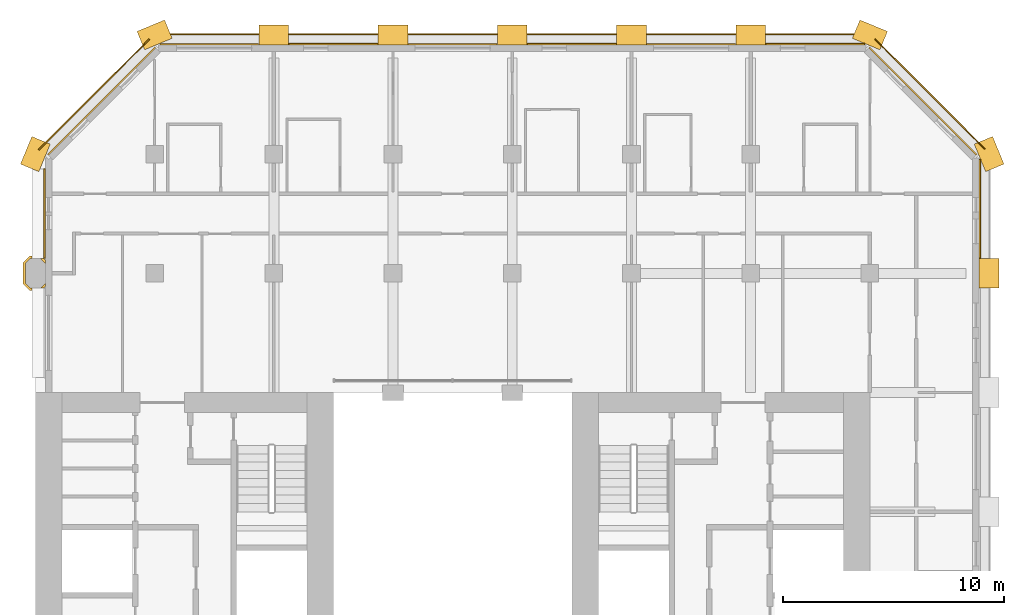
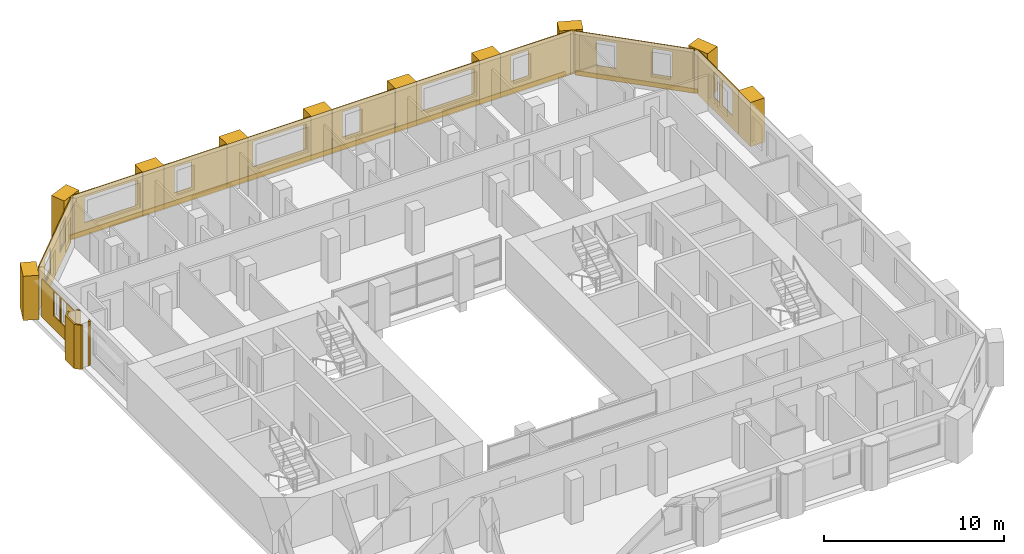
# One storey, part 12 of 12: 26 coverings.
"""IFC4 building model written with IfcOpenShell, lengths in metres."""

from ifc_helpers import new_model, si_unit, direction, frame, frame_2d, origin, place, context, subcontext, project, spatial, polyline, rectangle, outline, extrude, material, layer, layer_set, type_object, element, save


model = new_model("IFC4")

# Units and contexts
model_context = context("Model", 3, precision=1e-05, world=origin(), true_north=direction((0.0, 1.0)))
body_context = subcontext(model_context, "Body", "Model", "MODEL_VIEW")
ifc_project = project(units=[si_unit("LENGTHUNIT", "METRE"), si_unit("AREAUNIT", "SQUARE_METRE"), si_unit("VOLUMEUNIT", "CUBIC_METRE"), si_unit("PLANEANGLEUNIT", "RADIAN"), si_unit("MASSUNIT", "GRAM", prefix="KILO")], contexts=[model_context])

# Site, building, storey
site_placement = place(None, origin())
site = spatial("IfcSite", under=ifc_project, at=site_placement, CompositionType="ELEMENT")
building_placement = place(site_placement, origin())
building = spatial("IfcBuilding", under=site, at=building_placement, Name="Tabaq Tower and Sports Hall", CompositionType="ELEMENT")
storey_placement = place(building_placement, frame((0.0, 0.0, 197.199951171875)))
storey = spatial("IfcBuildingStorey", under=building, at=storey_placement, Name="L48", CompositionType="ELEMENT", Elevation=197.199951171875)

# Coverings
ifc_material_1 = material(Name="Precast concrete C60/75", Category="concrete")
ifc_layer_1 = layer(ifc_material_1, 0.10009765625)
ifc_layer_set_1 = layer_set([ifc_layer_1], Name="Column cladding 100")
covering_type_1 = type_object("IfcCoveringType", Name="Column cladding 100", PredefinedType="CLADDING", material=ifc_layer_set_1)
covering_1_placement = place(storey_placement, origin())
element("IfcCovering", 1, at=covering_1_placement, inside=storey, type_object=covering_type_1, Name="Column cladding L48 PC-2H-H2", PredefinedType="CLADDING", context=body_context, shape_type="SweptSolid", body=[
    extrude(outline(polyline([(5.1337890625, 37.025634765625), (4.8505859375, 37.308837890625), (4.8505859375, 38.291259765625), (5.1337890625, 38.574462890625), (5.24951171875, 38.574462890625), (5.24951171875, 38.4755859375), (5.1748046875, 38.4755859375), (4.949462890625, 38.250244140625), (4.949462890625, 37.349853515625), (5.1748046875, 37.12451171875), (5.24951171875, 37.12451171875), (5.24951171875, 37.025634765625), (5.1337890625, 37.025634765625)])), origin(), (0.0, 0.0, 1.0), 3.0),
])
covering_2_placement = place(storey_placement, origin())
element("IfcCovering", 2, at=covering_2_placement, inside=storey, type_object=covering_type_1, Name="Column cladding L48 PC-2H-H2 2", PredefinedType="CLADDING", context=body_context, shape_type="SweptSolid", body=[
    extrude(outline(polyline([(5.766357421875, 37.125244140625), (5.625732421875, 37.125244140625), (5.849609375, 37.349365234375), (5.849609375, 37.208740234375), (5.766357421875, 37.125244140625)])), origin(), (0.0, 0.0, 1.0), 3.0),
])
covering_3_placement = place(storey_placement, origin())
element("IfcCovering", 3, at=covering_3_placement, inside=storey, type_object=covering_type_1, Name="Column cladding L48 PC-2H-H2 3", PredefinedType="CLADDING", context=body_context, shape_type="SweptSolid", body=[
    extrude(outline(polyline([(5.62646484375, 38.474365234375), (5.76611328125, 38.474365234375), (5.849365234375, 38.39111328125), (5.849365234375, 38.25146484375), (5.62646484375, 38.474365234375)])), origin(), (0.0, 0.0, 1.0), 3.0),
])
ifc_material_2 = material(Name="Precast concrete C60/75", Category="concrete")
ifc_layer_2 = layer(ifc_material_2, 0.06005859375)
ifc_layer_set_2 = layer_set([ifc_layer_2], Name="Edge beam cladding 60")
covering_type_2 = type_object("IfcCoveringType", Name="Edge beam cladding 60", PredefinedType="CLADDING", material=ifc_layer_set_2)
covering_4_placement = place(storey_placement, frame((48.41015625, 43.432373046875, -0.300048828125), z_axis=(0.0, 0.0, 1.0), x_axis=(-0.707106781187, 0.707106781187, 0.0)))
element("IfcCovering", 4, at=covering_4_placement, inside=storey, type_object=covering_type_2, Name="Edge beam cladding L48 3", PredefinedType="CLADDING", context=body_context, shape_type="SweptSolid", body=[
    extrude(rectangle(XDim=7.03955078125, YDim=0.06005859375, at=frame_2d((3.519775390625, 0.0))), origin(), (0.0, 0.0, 1.0), 0.300048828125),
])
covering_5_placement = place(storey_placement, frame((42.9013671875, 48.6298828125, -0.300048828125), z_axis=(0.0, 0.0, 1.0), x_axis=(-1.0, 0.0, 0.0)))
element("IfcCovering", 5, at=covering_5_placement, inside=storey, type_object=covering_type_2, Name="Edge beam cladding L48 4", PredefinedType="CLADDING", context=body_context, shape_type="SweptSolid", body=[
    extrude(rectangle(XDim=31.802734375, YDim=0.06005859375, at=frame_2d((15.9013671875, 0.0))), origin(), (0.0, 0.0, 1.0), 0.300048828125),
])
covering_6_placement = place(storey_placement, frame((10.567626953125, 48.41015625, -0.300048828125), z_axis=(0.0, 0.0, 1.0), x_axis=(-0.707089559252, -0.707124002701, 0.0)))
element("IfcCovering", 6, at=covering_6_placement, inside=storey, type_object=covering_type_2, Name="Edge beam cladding L48 5", PredefinedType="CLADDING", context=body_context, shape_type="SweptSolid", body=[
    extrude(rectangle(XDim=7.088134765625, YDim=0.06005859375, at=frame_2d((3.5439453125, 0.0))), origin(), (0.0, 0.0, 1.0), 0.300048828125),
])
ifc_material_3 = material(Name="White precast concrete C60/75", Category="concrete")
covering_type_3 = type_object("IfcCoveringType", Name="Pier cladding hung 1350x900", PredefinedType="CLADDING", material=ifc_material_3)
for number, where, z_axis, x_axis, name in (
    (7, (5.658203125, 43.82373046875, 0.0), (0.0, 0.0, 1.0), (-0.382649923473, -0.923893411637, 0.0), "Hung pier cladding 1/8"),
    (8, (11.423583984375, 48.8583984375, 0.0), (0.0, 0.0, 1.0), (-0.923893411637, -0.382649923473, 0.0), "Hung pier cladding 2/9"),
    (9, (16.875, 48.60009765625, 0.0), (0.0, 0.0, 1.0), (-1.0, 0.0, 0.0), "Hung pier cladding 3/9"),
):
    element("IfcCovering", number, at=place(storey_placement, frame(where, z_axis=z_axis, x_axis=x_axis)), inside=storey, type_object=covering_type_3, Name=name, PredefinedType="CLADDING", context=body_context, shape_type="SweptSolid", body=[
        extrude(rectangle(XDim=1.35009765625, YDim=0.89990234375, at=frame_2d((0.675048828125, 0.0))), origin(), (0.0, 0.0, 1.0), 3.0),
    ])
covering_7_placement = place(storey_placement, frame((22.27490234375, 48.60009765625, 0.0), z_axis=(0.0, 0.0, 1.0), x_axis=(-1.0, 0.0, 0.0)))
element("IfcCovering", 10, at=covering_7_placement, inside=storey, type_object=covering_type_3, Name="Hung pier cladding 4/9", PredefinedType="CLADDING", context=body_context, shape_type="SweptSolid", body=[
    extrude(rectangle(XDim=1.349853515625, YDim=0.89990234375, at=frame_2d((0.6748046875, 0.0))), origin(), (0.0, 0.0, 1.0), 3.0),
])
covering_8_placement = place(storey_placement, frame((27.675048828125, 48.60009765625, 0.0), z_axis=(0.0, 0.0, 1.0), x_axis=(-1.0, 0.0, 0.0)))
element("IfcCovering", 11, at=covering_8_placement, inside=storey, type_object=covering_type_3, Name="Hung pier cladding 5/9", PredefinedType="CLADDING", context=body_context, shape_type="SweptSolid", body=[
    extrude(rectangle(XDim=1.35009765625, YDim=0.89990234375, at=frame_2d((0.675048828125, 0.0))), origin(), (0.0, 0.0, 1.0), 3.0),
])
covering_9_placement = place(storey_placement, frame((33.074951171875, 48.60009765625, 0.0), z_axis=(0.0, 0.0, 1.0), x_axis=(-1.0, 0.0, 0.0)))
element("IfcCovering", 12, at=covering_9_placement, inside=storey, type_object=covering_type_3, Name="Hung pier cladding 6/9", PredefinedType="CLADDING", context=body_context, shape_type="SweptSolid", body=[
    extrude(rectangle(XDim=1.349853515625, YDim=0.89990234375, at=frame_2d((0.6748046875, 0.0))), origin(), (0.0, 0.0, 1.0), 3.0),
])
for number, where, z_axis, x_axis, name in (
    (13, (38.47509765625, 48.60009765625, 0.0), (0.0, 0.0, 1.0), (-1.0, 0.0, 0.0), "Hung pier cladding 7/9"),
    (14, (43.82373046875, 48.341796875, 0.0), (0.0, 0.0, 1.0), (-0.923893411637, 0.382649923473, 0.0), "Hung pier cladding 8/9"),
    (15, (48.60009765625, 37.125, 0.0), (0.0, 0.0, 1.0), (0.0, 1.0, 0.0), "Hung pier cladding 9/7"),
    (16, (48.8583984375, 42.576416015625, 0.0), (0.0, 0.0, 1.0), (-0.382649923473, 0.923893411637, 0.0), "Hung pier cladding 9/8"),
):
    element("IfcCovering", number, at=place(storey_placement, frame(where, z_axis=z_axis, x_axis=x_axis)), inside=storey, type_object=covering_type_3, Name=name, PredefinedType="CLADDING", context=body_context, shape_type="SweptSolid", body=[
        extrude(rectangle(XDim=1.35009765625, YDim=0.89990234375, at=frame_2d((0.675048828125, 0.0))), origin(), (0.0, 0.0, 1.0), 3.0),
    ])
ifc_material_4 = material(Name="Precast concrete C60/75", Category="concrete")
ifc_layer_3 = layer(ifc_material_4, 0.06005859375)
ifc_layer_set_3 = layer_set([ifc_layer_3], Name="White precast cladding panel 60 C60/75")
covering_type_4 = type_object("IfcCoveringType", Name="White precast cladding panel 60 C60/75", PredefinedType="CLADDING", material=ifc_layer_set_3)
covering_10_placement = place(storey_placement, frame((48.179931640625, 38.485107421875, 0.0), z_axis=(0.0, 0.0, 1.0), x_axis=(0.0, 1.0, 0.0)))
element("IfcCovering", 17, at=covering_10_placement, inside=storey, type_object=covering_type_4, Name="White precast cladding panel L48 wall02 6", PredefinedType="CLADDING", context=body_context, shape_type="SweptSolid", body=[
    extrude(outline(polyline([(0.0, 0.0), (4.4716796875, 0.0), (4.4716796875, 3.0), (0.0, 3.0), (0.0, 0.0)]), holes=[polyline([(0.655029296875, 2.610107421875), (1.77490234375, 2.610107421875), (1.77490234375, 0.89013671875), (0.655029296875, 0.89013671875), (0.655029296875, 2.610107421875)]), polyline([(2.080078125, 2.610107421875), (2.75, 2.610107421875), (2.75, 0.89013671875), (2.080078125, 0.89013671875), (2.080078125, 2.610107421875)])]), frame((0.0, 0.030029296875, 0.0), z_axis=(0.0, -1.0, 0.0), x_axis=(1.0, 0.0, 0.0)), (0.0, 0.0, 1.0), 0.06005859375),
])
covering_11_placement = place(storey_placement, frame((48.0283203125, 43.177734375, 0.0), z_axis=(0.0, 0.0, 1.0), x_axis=(-0.707106781187, 0.707106781187, 0.0)))
element("IfcCovering", 18, at=covering_11_placement, inside=storey, type_object=covering_type_4, Name="White precast cladding panel L48 wall03", PredefinedType="CLADDING", context=body_context, shape_type="SweptSolid", body=[
    extrude(outline(polyline([(0.0, 0.0), (6.85986328125, 0.0), (6.85986328125, 3.0), (0.0, 3.0), (0.0, 0.0)]), holes=[polyline([(1.269775390625, 2.610107421875), (2.389892578125, 2.610107421875), (2.389892578125, 0.89013671875), (1.269775390625, 0.89013671875), (1.269775390625, 2.610107421875)]), polyline([(4.4697265625, 2.610107421875), (5.58984375, 2.610107421875), (5.58984375, 0.89013671875), (4.4697265625, 0.89013671875), (4.4697265625, 2.610107421875)])]), frame((0.0, 0.030029296875, 0.0), z_axis=(0.0, -1.0, 0.0), x_axis=(1.0, 0.0, 0.0)), (0.0, 0.0, 1.0), 0.06005859375),
])
covering_12_placement = place(storey_placement, frame((42.956787109375, 48.179931640625, 0.0), z_axis=(0.0, 0.0, 1.0), x_axis=(-1.0, 0.0, 0.0)))
element("IfcCovering", 19, at=covering_12_placement, inside=storey, type_object=covering_type_4, Name="White precast cladding panel L48 wall04", PredefinedType="CLADDING", context=body_context, shape_type="SweptSolid", body=[
    extrude(outline(polyline([(0.0, 0.0), (4.4716796875, 0.0), (4.4716796875, 3.0), (0.0, 3.0), (0.0, 0.0)]), holes=[polyline([(2.69677734375, 0.89013671875), (2.69677734375, 2.610107421875), (3.81689453125, 2.610107421875), (3.81689453125, 0.89013671875), (2.69677734375, 0.89013671875)])]), frame((0.0, 0.030029296875, 0.0), z_axis=(0.0, -1.0, 0.0), x_axis=(1.0, 0.0, 0.0)), (0.0, 0.0, 1.0), 0.06005859375),
])
covering_13_placement = place(storey_placement, frame((37.114990234375, 48.179931640625, 0.0), z_axis=(0.0, 0.0, 1.0), x_axis=(-1.0, 0.0, 0.0)))
element("IfcCovering", 20, at=covering_13_placement, inside=storey, type_object=covering_type_4, Name="White precast cladding panel L48 wall04 2", PredefinedType="CLADDING", context=body_context, shape_type="SweptSolid", body=[
    extrude(outline(polyline([(0.0, 0.0), (4.030029296875, 0.0), (4.030029296875, 3.0), (0.0, 3.0), (0.0, 0.0)]), holes=[polyline([(0.304931640625, 0.89013671875), (0.304931640625, 2.610107421875), (3.72509765625, 2.610107421875), (3.72509765625, 0.89013671875), (0.304931640625, 0.89013671875)])]), frame((0.0, 0.030029296875, 0.0), z_axis=(0.0, -1.0, 0.0), x_axis=(1.0, 0.0, 0.0)), (0.0, 0.0, 1.0), 0.06005859375),
])
covering_14_placement = place(storey_placement, frame((31.715087890625, 48.179931640625, 0.0), z_axis=(0.0, 0.0, 1.0), x_axis=(-1.0, 0.0, 0.0)))
element("IfcCovering", 21, at=covering_14_placement, inside=storey, type_object=covering_type_4, Name="White precast cladding panel L48 wall04 3", PredefinedType="CLADDING", context=body_context, shape_type="SweptSolid", body=[
    extrude(outline(polyline([(0.0, 0.0), (4.030029296875, 0.0), (4.030029296875, 3.0), (0.0, 3.0), (0.0, 0.0)]), holes=[polyline([(2.2548828125, 0.89013671875), (2.2548828125, 2.610107421875), (3.375, 2.610107421875), (3.375, 0.89013671875), (2.2548828125, 0.89013671875)])]), frame((0.0, 0.030029296875, 0.0), z_axis=(0.0, -1.0, 0.0), x_axis=(1.0, 0.0, 0.0)), (0.0, 0.0, 1.0), 0.06005859375),
])
covering_15_placement = place(storey_placement, frame((26.31494140625, 48.179931640625, 0.0), z_axis=(0.0, 0.0, 1.0), x_axis=(-1.0, 0.0, 0.0)))
element("IfcCovering", 22, at=covering_15_placement, inside=storey, type_object=covering_type_4, Name="White precast cladding panel L48 wall04 4", PredefinedType="CLADDING", context=body_context, shape_type="SweptSolid", body=[
    extrude(outline(polyline([(0.0, 0.0), (4.030029296875, 0.0), (4.030029296875, 3.0), (0.0, 3.0), (0.0, 0.0)]), holes=[polyline([(0.304931640625, 0.89013671875), (0.304931640625, 2.610107421875), (3.72509765625, 2.610107421875), (3.72509765625, 0.89013671875), (0.304931640625, 0.89013671875)])]), frame((0.0, 0.030029296875, 0.0), z_axis=(0.0, -1.0, 0.0), x_axis=(1.0, 0.0, 0.0)), (0.0, 0.0, 1.0), 0.06005859375),
])
covering_16_placement = place(storey_placement, frame((20.9150390625, 48.179931640625, 0.0), z_axis=(0.0, 0.0, 1.0), x_axis=(-1.0, 0.0, 0.0)))
element("IfcCovering", 23, at=covering_16_placement, inside=storey, type_object=covering_type_4, Name="White precast cladding panel L48 wall04 5", PredefinedType="CLADDING", context=body_context, shape_type="SweptSolid", body=[
    extrude(outline(polyline([(0.0, 0.0), (4.030029296875, 0.0), (4.030029296875, 3.0), (0.0, 3.0), (0.0, 0.0)]), holes=[polyline([(2.2548828125, 0.89013671875), (2.2548828125, 2.610107421875), (3.375, 2.610107421875), (3.375, 0.89013671875), (2.2548828125, 0.89013671875)])]), frame((0.0, 0.030029296875, 0.0), z_axis=(0.0, -1.0, 0.0), x_axis=(1.0, 0.0, 0.0)), (0.0, 0.0, 1.0), 0.06005859375),
])
covering_17_placement = place(storey_placement, frame((15.514892578125, 48.179931640625, 0.0), z_axis=(0.0, 0.0, 1.0), x_axis=(-1.0, 0.0, 0.0)))
element("IfcCovering", 24, at=covering_17_placement, inside=storey, type_object=covering_type_4, Name="White precast cladding panel L48 wall04 6", PredefinedType="CLADDING", context=body_context, shape_type="SweptSolid", body=[
    extrude(outline(polyline([(0.0, 0.0), (4.4716796875, 0.0), (4.4716796875, 3.0), (0.0, 3.0), (0.0, 0.0)]), holes=[polyline([(0.304931640625, 0.89013671875), (0.304931640625, 2.610107421875), (3.72509765625, 2.610107421875), (3.72509765625, 0.89013671875), (0.304931640625, 0.89013671875)])]), frame((0.0, 0.030029296875, 0.0), z_axis=(0.0, -1.0, 0.0), x_axis=(1.0, 0.0, 0.0)), (0.0, 0.0, 1.0), 0.06005859375),
])
covering_18_placement = place(storey_placement, frame((10.822265625, 48.0283203125, 0.0), z_axis=(0.0, 0.0, 1.0), x_axis=(-0.707106781187, -0.707106781187, 0.0)))
element("IfcCovering", 25, at=covering_18_placement, inside=storey, type_object=covering_type_4, Name="White precast cladding panel L48 wall05", PredefinedType="CLADDING", context=body_context, shape_type="SweptSolid", body=[
    extrude(outline(polyline([(0.0, 0.0), (6.85986328125, 0.0), (6.85986328125, 3.0), (0.0, 3.0), (0.0, 0.0)]), holes=[polyline([(1.269775390625, 2.610107421875), (2.389892578125, 2.610107421875), (2.389892578125, 0.89013671875), (1.269775390625, 0.89013671875), (1.269775390625, 2.610107421875)]), polyline([(4.4697265625, 2.610107421875), (5.58984375, 2.610107421875), (5.58984375, 0.89013671875), (4.4697265625, 0.89013671875), (4.4697265625, 2.610107421875)])]), frame((0.0, 0.030029296875, 0.0), z_axis=(0.0, -1.0, 0.0), x_axis=(1.0, 0.0, 0.0)), (0.0, 0.0, 1.0), 0.06005859375),
])
covering_19_placement = place(storey_placement, frame((5.820068359375, 42.534912109375, 0.0), z_axis=(0.0, 0.0, 1.0), x_axis=(0.0, -1.0, 0.0)))
element("IfcCovering", 26, at=covering_19_placement, inside=storey, type_object=covering_type_4, Name="White precast cladding panel L48 wall06", PredefinedType="CLADDING", context=body_context, shape_type="SweptSolid", body=[
    extrude(outline(polyline([(0.0, 0.0), (4.0498046875, 0.0), (4.0498046875, 2.590087890625), (0.0, 2.590087890625), (0.0, 0.0)]), holes=[polyline([(1.300048828125, 0.89013671875), (1.300048828125, 2.56005859375), (1.969970703125, 2.56005859375), (1.969970703125, 0.89013671875), (1.300048828125, 0.89013671875)]), polyline([(2.10009765625, 0.89013671875), (2.10009765625, 2.56005859375), (2.77001953125, 2.56005859375), (2.77001953125, 0.89013671875), (2.10009765625, 0.89013671875)])]), frame((0.0, 0.030029296875, 0.0), z_axis=(0.0, -1.0, 0.0), x_axis=(1.0, 0.0, 0.0)), (0.0, 0.0, 1.0), 0.06005859375),
])

save(model, "model.ifc")
